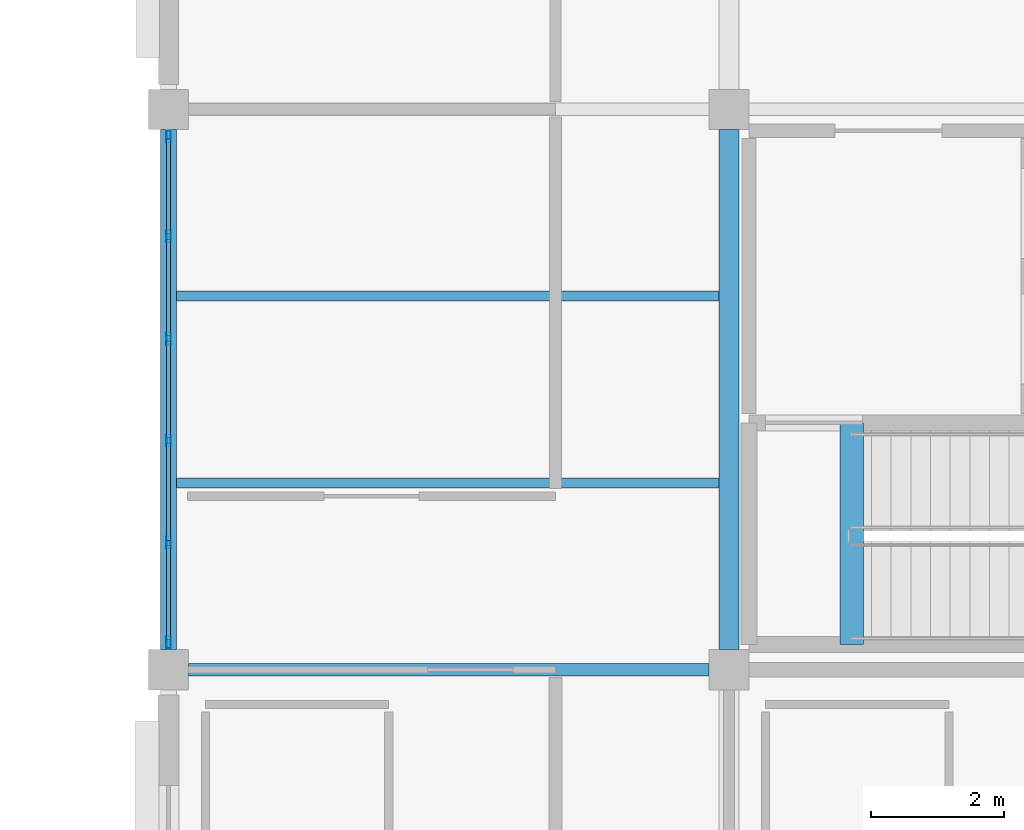
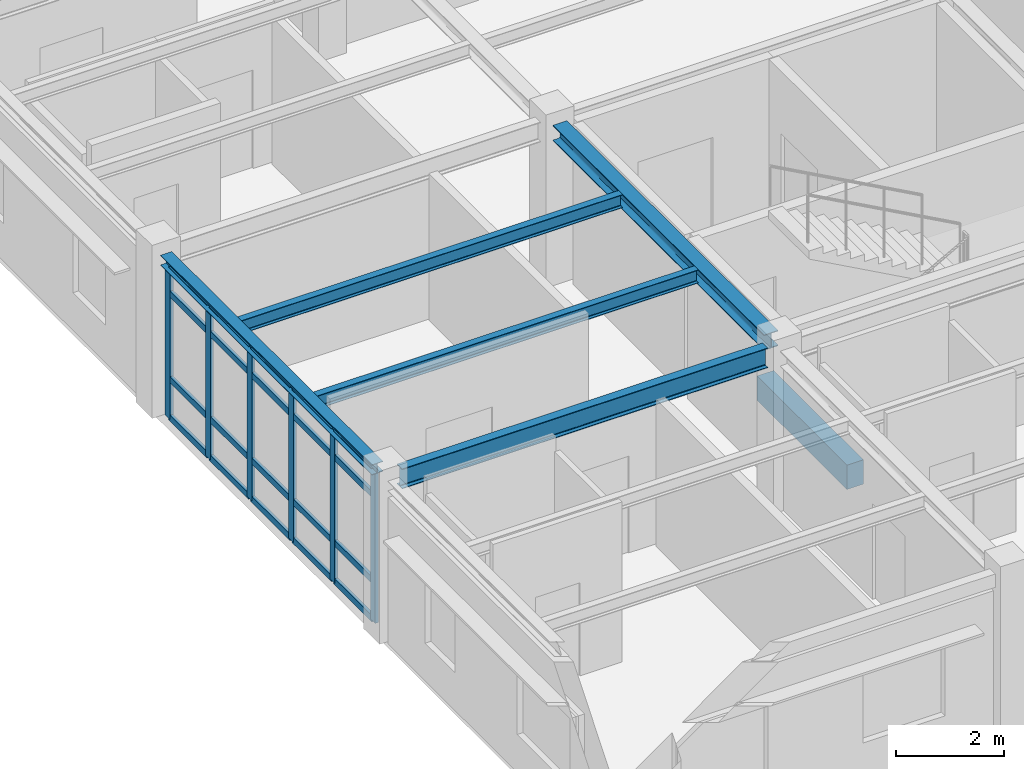
# One storey, part 2 of 86: 26 members, 6 beams, 1 element without a shape of its own.
"""IFC4 building model written with IfcOpenShell, lengths in metres."""

from ifc_helpers import new_model, si_unit, direction, frame, origin, origin_2d, place, context, subcontext, project, spatial, rectangle, hollow_rectangle, i_section, extrude, material, layer, layer_set, material_profile, profile_set, type_object, element, aggregate, save


model = new_model("IFC4")

# Units and contexts
model_context = context("Model", 3, precision=1e-05, world=origin(), true_north=direction((0.0, 1.0)))
body_context = subcontext(model_context, "Body", "Model", "MODEL_VIEW")
ifc_project = project(units=[si_unit("LENGTHUNIT", "METRE"), si_unit("AREAUNIT", "SQUARE_METRE"), si_unit("VOLUMEUNIT", "CUBIC_METRE"), si_unit("PLANEANGLEUNIT", "RADIAN"), si_unit("MASSUNIT", "GRAM", prefix="KILO")], contexts=[model_context])

# Site, building, storey
site_placement = place(None, origin())
site = spatial("IfcSite", under=ifc_project, at=site_placement, CompositionType="ELEMENT")
building_placement = place(site_placement, origin())
building = spatial("IfcBuilding", under=site, at=building_placement, Name="Bramfleet General Hospital", CompositionType="ELEMENT")
storey_placement = place(building_placement, frame((0.0, 0.0, 18.60009765625)))
storey = spatial("IfcBuildingStorey", under=building, at=storey_placement, Name="L04", CompositionType="ELEMENT", Elevation=18.60009765625)

# Beams
ifc_material_1 = material(Name="Steel S355", Category="steel")
ifc_material_profile_1 = material_profile(ifc_material_1, i_section(OverallWidth=0.239990234375, OverallDepth=0.22998046875, WebThickness=0.007568359375, FlangeThickness=0.011962890625, FilletRadius=0.02099609375, at=origin_2d()), Name="HEA 240")
ifc_profile_set_1 = profile_set([ifc_material_profile_1], Name="Steel S355")
beam_type_1 = type_object("IfcBeamType", Name="BM-HEA240", PredefinedType="SPANDREL", material=ifc_profile_set_1)
beam_1_placement = place(storey_placement, frame((92.39990234375, 8.699951171875, 3.5048828125), z_axis=(0.0, 1.0, 0.0), x_axis=(-1.0, 0.0, 0.0)))
element("IfcBeam", 1, at=beam_1_placement, inside=storey, type_object=beam_type_1, Name="L04 Grid Beam Y 11-01", PredefinedType="SPANDREL", context=body_context, shape_type="SweptSolid", body=[
    extrude(i_section(OverallWidth=0.239990234375, OverallDepth=0.22998046875, WebThickness=0.007568359375, FlangeThickness=0.011962890625, FilletRadius=0.02099609375, at=origin_2d()), origin(), (0.0, 0.0, 1.0), 7.800048828125),
])
ifc_material_profile_2 = material_profile(ifc_material_1, i_section(OverallWidth=0.300048828125, OverallDepth=0.35009765625, WebThickness=0.010009765625, FlangeThickness=0.017578125, FilletRadius=0.027099609375, at=origin_2d()), Name="HEA 360")
ifc_profile_set_2 = profile_set([ifc_material_profile_2], Name="Steel S355")
beam_type_2 = type_object("IfcBeamType", Name="BM-HEA360", PredefinedType="BEAM", material=ifc_profile_set_2)
beam_2_placement = place(storey_placement, frame((100.800048828125, 8.699951171875, 3.44482421875), z_axis=(0.0, 1.0, 0.0), x_axis=(-1.0, 0.0, 0.0)))
element("IfcBeam", 2, at=beam_2_placement, inside=storey, type_object=beam_type_2, Name="L04 Grid Beam Y 12-01", PredefinedType="BEAM", context=body_context, shape_type="SweptSolid", body=[
    extrude(i_section(OverallWidth=0.300048828125, OverallDepth=0.35009765625, WebThickness=0.010009765625, FlangeThickness=0.017578125, FilletRadius=0.027099609375, at=origin_2d()), origin(), (0.0, 0.0, 1.0), 7.800048828125),
])
ifc_material_profile_3 = material_profile(ifc_material_1, i_section(OverallWidth=0.14990234375, OverallDepth=0.300048828125, WebThickness=0.007080078125, FlangeThickness=0.0107421875, FilletRadius=0.014892578125, at=origin_2d()), Name="IPE 300")
ifc_profile_set_3 = profile_set([ifc_material_profile_3], Name="Steel S355")
beam_type_3 = type_object("IfcBeamType", Name="BM-IPE300", PredefinedType="JOIST", material=ifc_profile_set_3)
for number, where, z_axis, x_axis, name in (
    (3, (92.52001953125, 11.199951171875, 3.469970703125), (1.0, 0.0, 0.0), (0.0, 1.0, 0.0), "L04 Secondary Joist 11-01-1"),
    (4, (92.52001953125, 14.0, 3.469970703125), (1.0, 0.0, 0.0), (0.0, 1.0, 0.0), "L04 Secondary Joist 11-01-2"),
):
    element("IfcBeam", number, at=place(storey_placement, frame(where, z_axis=z_axis, x_axis=x_axis)), inside=storey, type_object=beam_type_3, Name=name, PredefinedType="JOIST", context=body_context, shape_type="SweptSolid", body=[
        extrude(i_section(OverallWidth=0.14990234375, OverallDepth=0.300048828125, WebThickness=0.007080078125, FlangeThickness=0.0107421875, FilletRadius=0.014892578125, at=origin_2d()), origin(), (0.0, 0.0, 1.0), 8.1298828125),
    ])
ifc_material_profile_4 = material_profile(ifc_material_1, i_section(OverallWidth=0.18994140625, OverallDepth=0.449951171875, WebThickness=0.009521484375, FlangeThickness=0.0146484375, FilletRadius=0.02099609375, at=origin_2d()), Name="IPE 450")
ifc_profile_set_4 = profile_set([ifc_material_profile_4], Name="Steel S355")
beam_type_4 = type_object("IfcBeamType", Name="BM-IPE450", PredefinedType="BEAM", material=ifc_profile_set_4)
beam_3_placement = place(storey_placement, frame((92.699951171875, 8.39990234375, 3.39501953125), z_axis=(1.0, 0.0, 0.0), x_axis=(0.0, 1.0, 0.0)))
element("IfcBeam", 5, at=beam_3_placement, inside=storey, type_object=beam_type_4, Name="L04 Grid Beam X 11-01", PredefinedType="BEAM", context=body_context, shape_type="SweptSolid", body=[
    extrude(i_section(OverallWidth=0.18994140625, OverallDepth=0.449951171875, WebThickness=0.009521484375, FlangeThickness=0.0146484375, FilletRadius=0.02099609375, at=origin_2d()), origin(), (0.0, 0.0, 1.0), 7.800048828125),
])
ifc_material_2 = material(Name="Concrete C35/45", Category="concrete")
ifc_material_profile_5 = material_profile(ifc_material_2, rectangle(XDim=0.35009765625, YDim=0.550048828125, at=origin_2d()), Name="RC BM 550x350")
ifc_profile_set_5 = profile_set([ifc_material_profile_5], Name="Concrete C35/45")
beam_type_5 = type_object("IfcBeamType", Name="BM-RC550", PredefinedType="BEAM", material=ifc_profile_set_5)
beam_4_placement = place(storey_placement, frame((102.639892578125, 8.780029296875, -0.275146484375), z_axis=(0.0, 1.0, 0.0), x_axis=(-1.0, 0.0, 0.0)))
element("IfcBeam", 6, at=beam_4_placement, inside=storey, type_object=beam_type_5, Name="L04 C3 Stairwell Trimmer Beam", PredefinedType="BEAM", context=body_context, shape_type="SweptSolid", body=[
    extrude(rectangle(XDim=0.35009765625, YDim=0.550048828125, at=origin_2d()), origin(), (0.0, 0.0, 1.0), 3.320068359375),
])

# Curtain wall, members
ifc_material_3 = material(Name="Anodised aluminium and low-E triple glazing", Category="aluminium")
ifc_layer = layer(ifc_material_3, 0.179931640625, Name="CWT-CW-17")
ifc_layer_set = layer_set([ifc_layer], Name="Anodised aluminium and low-E triple glazing")
curtain_wall_type = type_object("IfcCurtainWallType", Name="CWT-CW-17", PredefinedType="USERDEFINED", material=ifc_layer_set)
curtain_wall_placement = place(storey_placement, origin())
curtain_wall = element("IfcCurtainWall", 7, at=curtain_wall_placement, inside=storey, type_object=curtain_wall_type, Name="L04 Curtain Wall 197", ObjectType="Stick curtain wall", PredefinedType="USERDEFINED")
ifc_material_4 = material(Name="Anodised aluminium EN AW-6060", Category="aluminium")
ifc_material_profile_6 = material_profile(ifc_material_4, hollow_rectangle(XDim=0.070068359375, YDim=0.179931640625, WallThickness=0.00390625, at=origin_2d()), Name="ALU 180x70x4.0")
ifc_profile_set_6 = profile_set([ifc_material_profile_6], Name="Anodised aluminium EN AW-6060")
member_type_1 = type_object("IfcMemberType", Name="CWM-ALU180", PredefinedType="MULLION", material=ifc_profile_set_6)
member_1_placement = place(storey_placement, frame((92.39990234375, 8.81005859375, 0.0), z_axis=(0.0, 0.0, 1.0), x_axis=(-1.0, 0.0, 0.0)))
member_1 = element("IfcMember", 8, at=member_1_placement, type_object=member_type_1, Name="CW-17 mullion 1", PredefinedType="MULLION", context=body_context, shape_type="SweptSolid", body=[
    extrude(hollow_rectangle(XDim=0.070068359375, YDim=0.179931640625, WallThickness=0.00390625, at=origin_2d()), origin(), (0.0, 0.0, 1.0), 3.3798828125),
])
member_2_placement = place(storey_placement, frame((92.39990234375, 10.304931640625, 0.0), z_axis=(0.0, 0.0, 1.0), x_axis=(-1.0, 0.0, 0.0)))
member_2 = element("IfcMember", 9, at=member_2_placement, type_object=member_type_1, Name="CW-17 mullion 2", PredefinedType="MULLION", context=body_context, shape_type="SweptSolid", body=[
    extrude(hollow_rectangle(XDim=0.070068359375, YDim=0.179931640625, WallThickness=0.00390625, at=origin_2d()), origin(), (0.0, 0.0, 1.0), 3.3798828125),
])
member_3_placement = place(storey_placement, frame((92.39990234375, 11.8349609375, 0.0), z_axis=(0.0, 0.0, 1.0), x_axis=(-1.0, 0.0, 0.0)))
member_3 = element("IfcMember", 10, at=member_3_placement, type_object=member_type_1, Name="CW-17 mullion 3", PredefinedType="MULLION", context=body_context, shape_type="SweptSolid", body=[
    extrude(hollow_rectangle(XDim=0.070068359375, YDim=0.179931640625, WallThickness=0.00390625, at=origin_2d()), origin(), (0.0, 0.0, 1.0), 3.3798828125),
])
member_4_placement = place(storey_placement, frame((92.39990234375, 13.364990234375, 0.0), z_axis=(0.0, 0.0, 1.0), x_axis=(-1.0, 0.0, 0.0)))
member_4 = element("IfcMember", 11, at=member_4_placement, type_object=member_type_1, Name="CW-17 mullion 4", PredefinedType="MULLION", context=body_context, shape_type="SweptSolid", body=[
    extrude(hollow_rectangle(XDim=0.070068359375, YDim=0.179931640625, WallThickness=0.00390625, at=origin_2d()), origin(), (0.0, 0.0, 1.0), 3.3798828125),
])
member_5_placement = place(storey_placement, frame((92.39990234375, 14.89501953125, 0.0), z_axis=(0.0, 0.0, 1.0), x_axis=(-1.0, 0.0, 0.0)))
member_5 = element("IfcMember", 12, at=member_5_placement, type_object=member_type_1, Name="CW-17 mullion 5", PredefinedType="MULLION", context=body_context, shape_type="SweptSolid", body=[
    extrude(hollow_rectangle(XDim=0.070068359375, YDim=0.179931640625, WallThickness=0.00390625, at=origin_2d()), origin(), (0.0, 0.0, 1.0), 3.3798828125),
])
member_6_placement = place(storey_placement, frame((92.39990234375, 16.389892578125, 0.0), z_axis=(0.0, 0.0, 1.0), x_axis=(-1.0, 0.0, 0.0)))
member_6 = element("IfcMember", 13, at=member_6_placement, type_object=member_type_1, Name="CW-17 mullion 6", PredefinedType="MULLION", context=body_context, shape_type="SweptSolid", body=[
    extrude(hollow_rectangle(XDim=0.070068359375, YDim=0.179931640625, WallThickness=0.00390625, at=origin_2d()), origin(), (0.0, 0.0, 1.0), 3.3798828125),
])
ifc_material_profile_7 = material_profile(ifc_material_4, hollow_rectangle(XDim=0.06494140625, YDim=0.139892578125, WallThickness=0.00390625, at=origin_2d()), Name="ALU 140x65x4.0")
ifc_profile_set_7 = profile_set([ifc_material_profile_7], Name="Anodised aluminium EN AW-6060")
member_type_2 = type_object("IfcMemberType", Name="CWT-ALU140", PredefinedType="USERDEFINED", material=ifc_profile_set_7)
member_7_placement = place(storey_placement, frame((92.39990234375, 8.844970703125, 0.032470703125), z_axis=(0.0, 1.0, 0.0), x_axis=(-1.0, 0.0, 0.0)))
member_7 = element("IfcMember", 14, at=member_7_placement, type_object=member_type_2, Name="CW-17 transom 1.1", ObjectType="TRANSOM", PredefinedType="USERDEFINED", context=body_context, shape_type="SweptSolid", body=[
    extrude(hollow_rectangle(XDim=0.06494140625, YDim=0.139892578125, WallThickness=0.00390625, at=origin_2d()), origin(), (0.0, 0.0, 1.0), 1.425048828125),
])
member_8_placement = place(storey_placement, frame((92.39990234375, 8.844970703125, 0.89990234375), z_axis=(0.0, 1.0, 0.0), x_axis=(-1.0, 0.0, 0.0)))
member_8 = element("IfcMember", 15, at=member_8_placement, type_object=member_type_2, Name="CW-17 transom 1.2", ObjectType="TRANSOM", PredefinedType="USERDEFINED", context=body_context, shape_type="SweptSolid", body=[
    extrude(hollow_rectangle(XDim=0.06494140625, YDim=0.139892578125, WallThickness=0.00390625, at=origin_2d()), origin(), (0.0, 0.0, 1.0), 1.425048828125),
])
member_9_placement = place(storey_placement, frame((92.39990234375, 8.844970703125, 2.829833984375), z_axis=(0.0, 1.0, 0.0), x_axis=(-1.0, 0.0, 0.0)))
member_9 = element("IfcMember", 16, at=member_9_placement, type_object=member_type_2, Name="CW-17 transom 1.3", ObjectType="TRANSOM", PredefinedType="USERDEFINED", context=body_context, shape_type="SweptSolid", body=[
    extrude(hollow_rectangle(XDim=0.06494140625, YDim=0.139892578125, WallThickness=0.00390625, at=origin_2d()), origin(), (0.0, 0.0, 1.0), 1.425048828125),
])
member_10_placement = place(storey_placement, frame((92.39990234375, 8.844970703125, 3.347412109375), z_axis=(0.0, 1.0, 0.0), x_axis=(-1.0, 0.0, 0.0)))
member_10 = element("IfcMember", 17, at=member_10_placement, type_object=member_type_2, Name="CW-17 transom 1.4", ObjectType="TRANSOM", PredefinedType="USERDEFINED", context=body_context, shape_type="SweptSolid", body=[
    extrude(hollow_rectangle(XDim=0.06494140625, YDim=0.139892578125, WallThickness=0.00390625, at=origin_2d()), origin(), (0.0, 0.0, 1.0), 1.425048828125),
])
member_11_placement = place(storey_placement, frame((92.39990234375, 10.340087890625, 0.032470703125), z_axis=(0.0, 1.0, 0.0), x_axis=(-1.0, 0.0, 0.0)))
member_11 = element("IfcMember", 18, at=member_11_placement, type_object=member_type_2, Name="CW-17 transom 2.1", ObjectType="TRANSOM", PredefinedType="USERDEFINED", context=body_context, shape_type="SweptSolid", body=[
    extrude(hollow_rectangle(XDim=0.06494140625, YDim=0.139892578125, WallThickness=0.00390625, at=origin_2d()), origin(), (0.0, 0.0, 1.0), 1.4599609375),
])
member_12_placement = place(storey_placement, frame((92.39990234375, 10.340087890625, 0.89990234375), z_axis=(0.0, 1.0, 0.0), x_axis=(-1.0, 0.0, 0.0)))
member_12 = element("IfcMember", 19, at=member_12_placement, type_object=member_type_2, Name="CW-17 transom 2.2", ObjectType="TRANSOM", PredefinedType="USERDEFINED", context=body_context, shape_type="SweptSolid", body=[
    extrude(hollow_rectangle(XDim=0.06494140625, YDim=0.139892578125, WallThickness=0.00390625, at=origin_2d()), origin(), (0.0, 0.0, 1.0), 1.4599609375),
])
member_13_placement = place(storey_placement, frame((92.39990234375, 10.340087890625, 2.829833984375), z_axis=(0.0, 1.0, 0.0), x_axis=(-1.0, 0.0, 0.0)))
member_13 = element("IfcMember", 20, at=member_13_placement, type_object=member_type_2, Name="CW-17 transom 2.3", ObjectType="TRANSOM", PredefinedType="USERDEFINED", context=body_context, shape_type="SweptSolid", body=[
    extrude(hollow_rectangle(XDim=0.06494140625, YDim=0.139892578125, WallThickness=0.00390625, at=origin_2d()), origin(), (0.0, 0.0, 1.0), 1.4599609375),
])
member_14_placement = place(storey_placement, frame((92.39990234375, 10.340087890625, 3.347412109375), z_axis=(0.0, 1.0, 0.0), x_axis=(-1.0, 0.0, 0.0)))
member_14 = element("IfcMember", 21, at=member_14_placement, type_object=member_type_2, Name="CW-17 transom 2.4", ObjectType="TRANSOM", PredefinedType="USERDEFINED", context=body_context, shape_type="SweptSolid", body=[
    extrude(hollow_rectangle(XDim=0.06494140625, YDim=0.139892578125, WallThickness=0.00390625, at=origin_2d()), origin(), (0.0, 0.0, 1.0), 1.4599609375),
])
member_15_placement = place(storey_placement, frame((92.39990234375, 11.8701171875, 0.032470703125), z_axis=(0.0, 1.0, 0.0), x_axis=(-1.0, 0.0, 0.0)))
member_15 = element("IfcMember", 22, at=member_15_placement, type_object=member_type_2, Name="CW-17 transom 3.1", ObjectType="TRANSOM", PredefinedType="USERDEFINED", context=body_context, shape_type="SweptSolid", body=[
    extrude(hollow_rectangle(XDim=0.06494140625, YDim=0.139892578125, WallThickness=0.00390625, at=origin_2d()), origin(), (0.0, 0.0, 1.0), 1.4599609375),
])
member_16_placement = place(storey_placement, frame((92.39990234375, 11.8701171875, 0.89990234375), z_axis=(0.0, 1.0, 0.0), x_axis=(-1.0, 0.0, 0.0)))
member_16 = element("IfcMember", 23, at=member_16_placement, type_object=member_type_2, Name="CW-17 transom 3.2", ObjectType="TRANSOM", PredefinedType="USERDEFINED", context=body_context, shape_type="SweptSolid", body=[
    extrude(hollow_rectangle(XDim=0.06494140625, YDim=0.139892578125, WallThickness=0.00390625, at=origin_2d()), origin(), (0.0, 0.0, 1.0), 1.4599609375),
])
member_17_placement = place(storey_placement, frame((92.39990234375, 11.8701171875, 2.829833984375), z_axis=(0.0, 1.0, 0.0), x_axis=(-1.0, 0.0, 0.0)))
member_17 = element("IfcMember", 24, at=member_17_placement, type_object=member_type_2, Name="CW-17 transom 3.3", ObjectType="TRANSOM", PredefinedType="USERDEFINED", context=body_context, shape_type="SweptSolid", body=[
    extrude(hollow_rectangle(XDim=0.06494140625, YDim=0.139892578125, WallThickness=0.00390625, at=origin_2d()), origin(), (0.0, 0.0, 1.0), 1.4599609375),
])
member_18_placement = place(storey_placement, frame((92.39990234375, 11.8701171875, 3.347412109375), z_axis=(0.0, 1.0, 0.0), x_axis=(-1.0, 0.0, 0.0)))
member_18 = element("IfcMember", 25, at=member_18_placement, type_object=member_type_2, Name="CW-17 transom 3.4", ObjectType="TRANSOM", PredefinedType="USERDEFINED", context=body_context, shape_type="SweptSolid", body=[
    extrude(hollow_rectangle(XDim=0.06494140625, YDim=0.139892578125, WallThickness=0.00390625, at=origin_2d()), origin(), (0.0, 0.0, 1.0), 1.4599609375),
])
member_19_placement = place(storey_placement, frame((92.39990234375, 13.39990234375, 0.032470703125), z_axis=(0.0, 1.0, 0.0), x_axis=(-1.0, 0.0, 0.0)))
member_19 = element("IfcMember", 26, at=member_19_placement, type_object=member_type_2, Name="CW-17 transom 4.1", ObjectType="TRANSOM", PredefinedType="USERDEFINED", context=body_context, shape_type="SweptSolid", body=[
    extrude(hollow_rectangle(XDim=0.06494140625, YDim=0.139892578125, WallThickness=0.00390625, at=origin_2d()), origin(), (0.0, 0.0, 1.0), 1.460205078125),
])
member_20_placement = place(storey_placement, frame((92.39990234375, 13.39990234375, 0.89990234375), z_axis=(0.0, 1.0, 0.0), x_axis=(-1.0, 0.0, 0.0)))
member_20 = element("IfcMember", 27, at=member_20_placement, type_object=member_type_2, Name="CW-17 transom 4.2", ObjectType="TRANSOM", PredefinedType="USERDEFINED", context=body_context, shape_type="SweptSolid", body=[
    extrude(hollow_rectangle(XDim=0.06494140625, YDim=0.139892578125, WallThickness=0.00390625, at=origin_2d()), origin(), (0.0, 0.0, 1.0), 1.460205078125),
])
member_21_placement = place(storey_placement, frame((92.39990234375, 13.39990234375, 2.829833984375), z_axis=(0.0, 1.0, 0.0), x_axis=(-1.0, 0.0, 0.0)))
member_21 = element("IfcMember", 28, at=member_21_placement, type_object=member_type_2, Name="CW-17 transom 4.3", ObjectType="TRANSOM", PredefinedType="USERDEFINED", context=body_context, shape_type="SweptSolid", body=[
    extrude(hollow_rectangle(XDim=0.06494140625, YDim=0.139892578125, WallThickness=0.00390625, at=origin_2d()), origin(), (0.0, 0.0, 1.0), 1.460205078125),
])
member_22_placement = place(storey_placement, frame((92.39990234375, 13.39990234375, 3.347412109375), z_axis=(0.0, 1.0, 0.0), x_axis=(-1.0, 0.0, 0.0)))
member_22 = element("IfcMember", 29, at=member_22_placement, type_object=member_type_2, Name="CW-17 transom 4.4", ObjectType="TRANSOM", PredefinedType="USERDEFINED", context=body_context, shape_type="SweptSolid", body=[
    extrude(hollow_rectangle(XDim=0.06494140625, YDim=0.139892578125, WallThickness=0.00390625, at=origin_2d()), origin(), (0.0, 0.0, 1.0), 1.460205078125),
])
member_23_placement = place(storey_placement, frame((92.39990234375, 14.929931640625, 0.032470703125), z_axis=(0.0, 1.0, 0.0), x_axis=(-1.0, 0.0, 0.0)))
member_23 = element("IfcMember", 30, at=member_23_placement, type_object=member_type_2, Name="CW-17 transom 5.1", ObjectType="TRANSOM", PredefinedType="USERDEFINED", context=body_context, shape_type="SweptSolid", body=[
    extrude(hollow_rectangle(XDim=0.06494140625, YDim=0.139892578125, WallThickness=0.00390625, at=origin_2d()), origin(), (0.0, 0.0, 1.0), 1.425048828125),
])
member_24_placement = place(storey_placement, frame((92.39990234375, 14.929931640625, 0.89990234375), z_axis=(0.0, 1.0, 0.0), x_axis=(-1.0, 0.0, 0.0)))
member_24 = element("IfcMember", 31, at=member_24_placement, type_object=member_type_2, Name="CW-17 transom 5.2", ObjectType="TRANSOM", PredefinedType="USERDEFINED", context=body_context, shape_type="SweptSolid", body=[
    extrude(hollow_rectangle(XDim=0.06494140625, YDim=0.139892578125, WallThickness=0.00390625, at=origin_2d()), origin(), (0.0, 0.0, 1.0), 1.425048828125),
])
member_25_placement = place(storey_placement, frame((92.39990234375, 14.929931640625, 2.829833984375), z_axis=(0.0, 1.0, 0.0), x_axis=(-1.0, 0.0, 0.0)))
member_25 = element("IfcMember", 32, at=member_25_placement, type_object=member_type_2, Name="CW-17 transom 5.3", ObjectType="TRANSOM", PredefinedType="USERDEFINED", context=body_context, shape_type="SweptSolid", body=[
    extrude(hollow_rectangle(XDim=0.06494140625, YDim=0.139892578125, WallThickness=0.00390625, at=origin_2d()), origin(), (0.0, 0.0, 1.0), 1.425048828125),
])
member_26_placement = place(storey_placement, frame((92.39990234375, 14.929931640625, 3.347412109375), z_axis=(0.0, 1.0, 0.0), x_axis=(-1.0, 0.0, 0.0)))
member_26 = element("IfcMember", 33, at=member_26_placement, type_object=member_type_2, Name="CW-17 transom 5.4", ObjectType="TRANSOM", PredefinedType="USERDEFINED", context=body_context, shape_type="SweptSolid", body=[
    extrude(hollow_rectangle(XDim=0.06494140625, YDim=0.139892578125, WallThickness=0.00390625, at=origin_2d()), origin(), (0.0, 0.0, 1.0), 1.425048828125),
])
aggregate(curtain_wall, [member_1, member_2, member_3, member_4, member_5, member_6, member_7, member_8, member_9, member_10, member_11, member_12, member_13, member_14, member_15, member_16, member_17, member_18, member_19, member_20, member_21, member_22, member_23, member_24, member_25, member_26])

save(model, "model.ifc")
